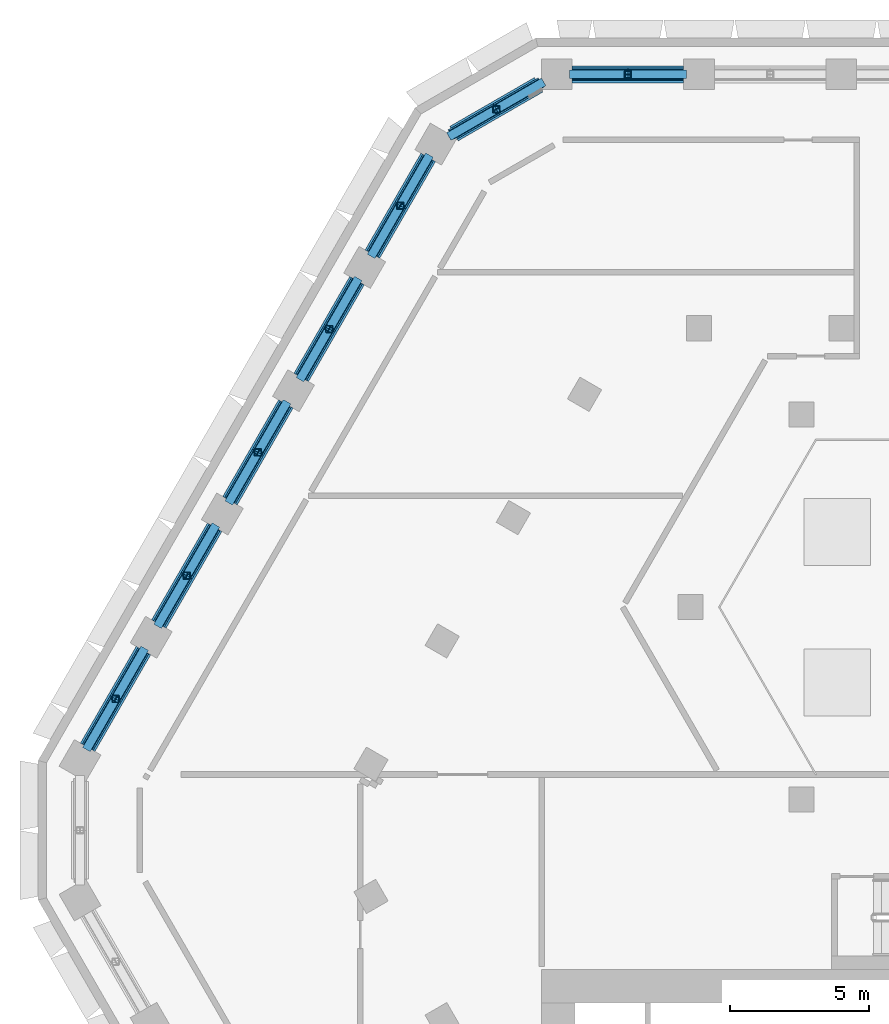
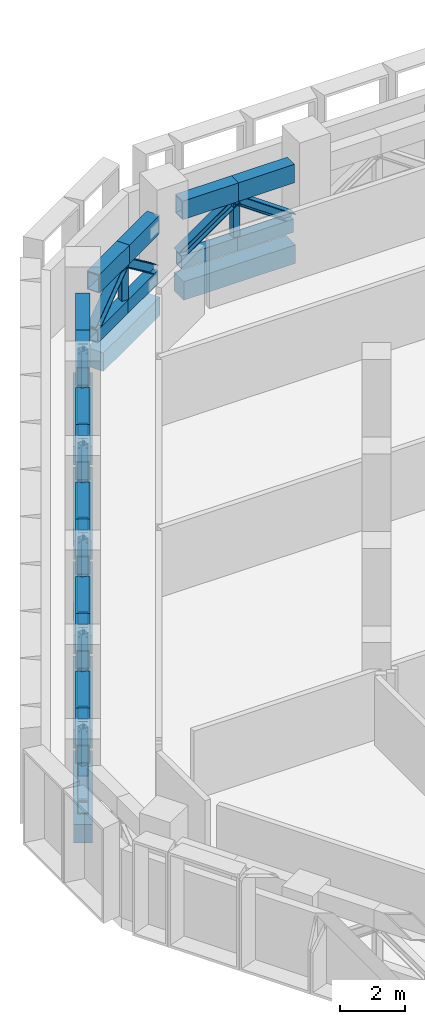
# One storey, part 6 of 22: 49 members, 7 beams.
"""IFC4 building model written with IfcOpenShell, lengths in metres."""

from ifc_helpers import new_model, si_unit, direction, frame, origin, origin_2d, place, context, subcontext, project, spatial, rectangle, hollow_rectangle, i_section, extrude, material, material_profile, profile_set, type_object, element, save


model = new_model("IFC4")

# Units and contexts
model_context = context("Model", 3, precision=1e-05, world=origin(), true_north=direction((0.0, 1.0)))
body_context = subcontext(model_context, "Body", "Model", "MODEL_VIEW")
ifc_project = project(units=[si_unit("LENGTHUNIT", "METRE"), si_unit("AREAUNIT", "SQUARE_METRE"), si_unit("VOLUMEUNIT", "CUBIC_METRE"), si_unit("PLANEANGLEUNIT", "RADIAN"), si_unit("MASSUNIT", "GRAM", prefix="KILO")], contexts=[model_context])

# Site, building, storey
site_placement = place(None, origin())
site = spatial("IfcSite", under=ifc_project, at=site_placement, CompositionType="ELEMENT")
building_placement = place(site_placement, origin())
building = spatial("IfcBuilding", under=site, at=building_placement, Name="Beryl Residences", CompositionType="ELEMENT")
storey_placement = place(building_placement, frame((0.0, 0.0, 62.39990234375)))
storey = spatial("IfcBuildingStorey", under=building, at=storey_placement, Name="L19", CompositionType="ELEMENT", Elevation=62.39990234375)

# Members
ifc_material_1 = material(Name="Steel S355", Category="steel")
ifc_material_profile_1 = material_profile(ifc_material_1, hollow_rectangle(XDim=0.35009765625, YDim=0.5, WallThickness=0.02490234375, at=origin_2d()))
ifc_profile_set_1 = profile_set([ifc_material_profile_1], Name="Steel S355")
member_type_1 = type_object("IfcMemberType", Name="BB1 belt truss bottom chord WB 500x350x25", PredefinedType="CHORD", material=ifc_profile_set_1)
for number, where, z_axis, x_axis, name in (
    (1, (-8.20703125, 27.10009765625, 0.25), (-1.0, 0.0, 0.0), (0.0, -1.0, 0.0), "Belt truss BB1-N-4a L19"),
    (2, (-10.208984375, 27.10009765625, 0.25), (-1.0, 0.0, 0.0), (0.0, -1.0, 0.0), "Belt truss BB1-N-4b L19"),
):
    element("IfcMember", number, at=place(storey_placement, frame(where, z_axis=z_axis, x_axis=x_axis)), inside=storey, type_object=member_type_1, Name=name, PredefinedType="CHORD", context=body_context, shape_type="SweptSolid", body=[
        extrude(hollow_rectangle(XDim=0.35009765625, YDim=0.5, WallThickness=0.02490234375, at=origin_2d()), origin(), (0.0, 0.0, 1.0), 2.001953125),
    ])
member_1_placement = place(storey_placement, frame((-13.31103515625, 26.781982421875, 0.25), z_axis=(-0.866017611601, -0.500013496215, 0.0), x_axis=(0.500013496215, -0.866017611601, 0.0)))
element("IfcMember", 3, at=member_1_placement, inside=storey, type_object=member_type_1, Name="Belt truss BB1-N-5a L19", PredefinedType="CHORD", context=body_context, shape_type="SweptSolid", body=[
    extrude(hollow_rectangle(XDim=0.35009765625, YDim=0.5, WallThickness=0.02490234375, at=origin_2d()), origin(), (0.0, 0.0, 1.0), 1.86376953125),
])
member_2_placement = place(storey_placement, frame((-14.925048828125, 25.85009765625, 0.25), z_axis=(-0.866091842883, -0.499884906444, 0.0), x_axis=(0.499884906444, -0.866091842883, 0.0)))
element("IfcMember", 4, at=member_2_placement, inside=storey, type_object=member_type_1, Name="Belt truss BB1-N-5b L19", PredefinedType="CHORD", context=body_context, shape_type="SweptSolid", body=[
    extrude(hollow_rectangle(XDim=0.35009765625, YDim=0.5, WallThickness=0.02490234375, at=origin_2d()), origin(), (0.0, 0.0, 1.0), 1.86474609375),
])
for number, where, z_axis, x_axis, name in (
    (5, (-17.364990234375, 24.1240234375, 0.25), (-0.499915960366, -0.866073918653, 0.0), (0.866073918653, -0.499915960366, 0.0), "Belt truss BB1-NW-0a L19"),
    (6, (-18.365966796875, 22.389892578125, 0.25), (-0.499968756647, -0.866043441391, 0.0), (0.866043441391, -0.499968756647, 0.0), "Belt truss BB1-NW-0b L19"),
    (7, (-19.9169921875, 19.7041015625, 0.25), (-0.499915960366, -0.866073918653, 0.0), (0.866073918653, -0.499915960366, 0.0), "Belt truss BB1-NW-1a L19"),
):
    element("IfcMember", number, at=place(storey_placement, frame(where, z_axis=z_axis, x_axis=x_axis)), inside=storey, type_object=member_type_1, Name=name, PredefinedType="CHORD", context=body_context, shape_type="SweptSolid", body=[
        extrude(hollow_rectangle(XDim=0.35009765625, YDim=0.5, WallThickness=0.02490234375, at=origin_2d()), origin(), (0.0, 0.0, 1.0), 2.002197265625),
    ])
member_3_placement = place(storey_placement, frame((-20.91796875, 17.969970703125, 0.25), z_axis=(-0.49975762727, -0.866165292531, 0.0), x_axis=(0.866165292531, -0.49975762727, 0.0)))
element("IfcMember", 8, at=member_3_placement, inside=storey, type_object=member_type_1, Name="Belt truss BB1-NW-1b L19", PredefinedType="CHORD", context=body_context, shape_type="SweptSolid", body=[
    extrude(hollow_rectangle(XDim=0.35009765625, YDim=0.5, WallThickness=0.02490234375, at=origin_2d()), origin(), (0.0, 0.0, 1.0), 2.0029296875),
])
for number, where, z_axis, x_axis, name in (
    (9, (-22.468994140625, 15.282958984375, 0.25), (-0.499968756647, -0.866043441391, 0.0), (0.866043441391, -0.499968756647, 0.0), "Belt truss BB1-NW-2a L19"),
    (10, (-23.469970703125, 13.549072265625, 0.25), (-0.499915960366, -0.866073918653, 0.0), (0.866073918653, -0.499915960366, 0.0), "Belt truss BB1-NW-2b L19"),
    (11, (-25.02099609375, 10.863037109375, 0.25), (-0.499915960366, -0.866073918653, 0.0), (0.866073918653, -0.499915960366, 0.0), "Belt truss BB1-NW-3a L19"),
    (12, (-26.02197265625, 9.12890625, 0.25), (-0.499968756647, -0.866043441391, 0.0), (0.866043441391, -0.499968756647, 0.0), "Belt truss BB1-NW-3b L19"),
):
    element("IfcMember", number, at=place(storey_placement, frame(where, z_axis=z_axis, x_axis=x_axis)), inside=storey, type_object=member_type_1, Name=name, PredefinedType="CHORD", context=body_context, shape_type="SweptSolid", body=[
        extrude(hollow_rectangle(XDim=0.35009765625, YDim=0.5, WallThickness=0.02490234375, at=origin_2d()), origin(), (0.0, 0.0, 1.0), 2.002197265625),
    ])
member_4_placement = place(storey_placement, frame((-27.572998046875, 6.443115234375, 0.25), z_axis=(-0.499549993408, -0.866285059369, 0.0), x_axis=(0.866285059369, -0.499549993408, 0.0)))
element("IfcMember", 13, at=member_4_placement, inside=storey, type_object=member_type_1, Name="Belt truss BB1-NW-4a L19", PredefinedType="CHORD", context=body_context, shape_type="SweptSolid", body=[
    extrude(hollow_rectangle(XDim=0.35009765625, YDim=0.5, WallThickness=0.02490234375, at=origin_2d()), origin(), (0.0, 0.0, 1.0), 2.001708984375),
])
member_5_placement = place(storey_placement, frame((-28.572998046875, 4.708984375, 0.25), z_axis=(-0.499968756647, -0.866043441391, 0.0), x_axis=(0.866043441391, -0.499968756647, 0.0)))
element("IfcMember", 14, at=member_5_placement, inside=storey, type_object=member_type_1, Name="Belt truss BB1-NW-4b L19", PredefinedType="CHORD", context=body_context, shape_type="SweptSolid", body=[
    extrude(hollow_rectangle(XDim=0.35009765625, YDim=0.5, WallThickness=0.02490234375, at=origin_2d()), origin(), (0.0, 0.0, 1.0), 2.002197265625),
])
ifc_material_2 = material(Name="Steel S355", Category="steel")
ifc_material_profile_2 = material_profile(ifc_material_2, i_section(OverallWidth=0.31103515625, OverallDepth=0.326904296875, WebThickness=0.015625, FlangeThickness=0.02490234375, FilletRadius=0.0166015625, at=origin_2d()))
ifc_profile_set_2 = profile_set([ifc_material_profile_2], Name="Steel S355")
member_type_2 = type_object("IfcMemberType", Name="BD1 belt truss diagonal 310UC158", PredefinedType="BRACE", material=ifc_profile_set_2)
for number, where, z_axis, x_axis, name in (
    (15, (-8.20703125, 27.10009765625, 0.5), (-0.81946659841, 0.0, 0.573126944132), (0.0, -1.0, 0.0), "Belt truss BD1-N-4a L19"),
    (16, (-12.2109375, 27.10009765625, 0.5), (0.81946659841, 0.0, 0.573126944132), (0.0, 1.0, 0.0), "Belt truss BD1-N-4b L19"),
):
    element("IfcMember", number, at=place(storey_placement, frame(where, z_axis=z_axis, x_axis=x_axis)), inside=storey, type_object=member_type_2, Name=name, PredefinedType="BRACE", context=body_context, shape_type="SweptSolid", body=[
        extrude(i_section(OverallWidth=0.31103515625, OverallDepth=0.326904296875, WebThickness=0.015625, FlangeThickness=0.02490234375, FilletRadius=0.0166015625, at=origin_2d()), origin(), (0.0, 0.0, 1.0), 2.443115234375),
    ])
member_6_placement = place(storey_placement, frame((-13.31103515625, 26.781982421875, 0.5), z_axis=(-0.692393537395, -0.399767982489, 0.600646942514), x_axis=(0.500013496215, -0.866017611601, 0.0)))
element("IfcMember", 17, at=member_6_placement, inside=storey, type_object=member_type_2, Name="Belt truss BD1-N-5a L19", PredefinedType="BRACE", context=body_context, shape_type="SweptSolid", body=[
    extrude(i_section(OverallWidth=0.31103515625, OverallDepth=0.326904296875, WebThickness=0.015625, FlangeThickness=0.02490234375, FilletRadius=0.0166015625, at=origin_2d()), origin(), (0.0, 0.0, 1.0), 2.3310546875),
])
member_7_placement = place(storey_placement, frame((-16.5400390625, 24.91796875, 0.5), z_axis=(0.692582551799, 0.399740012512, 0.600447609156), x_axis=(-0.499884906444, 0.866091842883, 0.0)))
element("IfcMember", 18, at=member_7_placement, inside=storey, type_object=member_type_2, Name="Belt truss BD1-N-5b L19", PredefinedType="BRACE", context=body_context, shape_type="SweptSolid", body=[
    extrude(i_section(OverallWidth=0.31103515625, OverallDepth=0.326904296875, WebThickness=0.015625, FlangeThickness=0.02490234375, FilletRadius=0.0166015625, at=origin_2d()), origin(), (0.0, 0.0, 1.0), 2.331787109375),
])
member_8_placement = place(storey_placement, frame((-17.364990234375, 24.1240234375, 0.5), z_axis=(-0.409687048976, -0.709757831433, 0.573062250214), x_axis=(0.866073918653, -0.499915960366, 0.0)))
element("IfcMember", 19, at=member_8_placement, inside=storey, type_object=member_type_2, Name="Belt truss BD1-NW-0a L19", PredefinedType="BRACE", context=body_context, shape_type="SweptSolid", body=[
    extrude(i_section(OverallWidth=0.31103515625, OverallDepth=0.326904296875, WebThickness=0.015625, FlangeThickness=0.02490234375, FilletRadius=0.0166015625, at=origin_2d()), origin(), (0.0, 0.0, 1.0), 2.443359375),
])
member_9_placement = place(storey_placement, frame((-19.366943359375, 20.656005859375, 0.5), z_axis=(0.409716105686, 0.709708239654, 0.573102894173), x_axis=(-0.866043441391, 0.499968756647, 0.0)))
element("IfcMember", 20, at=member_9_placement, inside=storey, type_object=member_type_2, Name="Belt truss BD1-NW-0b L19", PredefinedType="BRACE", context=body_context, shape_type="SweptSolid", body=[
    extrude(i_section(OverallWidth=0.31103515625, OverallDepth=0.326904296875, WebThickness=0.015625, FlangeThickness=0.02490234375, FilletRadius=0.0166015625, at=origin_2d()), origin(), (0.0, 0.0, 1.0), 2.443115234375),
])
member_10_placement = place(storey_placement, frame((-19.9169921875, 19.7041015625, 0.5), z_axis=(-0.409687048976, -0.709757831433, 0.573062250214), x_axis=(0.866073918653, -0.499915960366, 0.0)))
element("IfcMember", 21, at=member_10_placement, inside=storey, type_object=member_type_2, Name="Belt truss BD1-NW-1a L19", PredefinedType="BRACE", context=body_context, shape_type="SweptSolid", body=[
    extrude(i_section(OverallWidth=0.31103515625, OverallDepth=0.326904296875, WebThickness=0.015625, FlangeThickness=0.02490234375, FilletRadius=0.0166015625, at=origin_2d()), origin(), (0.0, 0.0, 1.0), 2.443359375),
])
member_11_placement = place(storey_placement, frame((-21.9189453125, 16.235107421875, 0.5), z_axis=(0.409599891397, 0.709906543479, 0.572940335893), x_axis=(-0.866165292531, 0.49975762727, 0.0)))
element("IfcMember", 22, at=member_11_placement, inside=storey, type_object=member_type_2, Name="Belt truss BD1-NW-1b L19", PredefinedType="BRACE", context=body_context, shape_type="SweptSolid", body=[
    extrude(i_section(OverallWidth=0.31103515625, OverallDepth=0.326904296875, WebThickness=0.015625, FlangeThickness=0.02490234375, FilletRadius=0.0166015625, at=origin_2d()), origin(), (0.0, 0.0, 1.0), 2.44384765625),
])
member_12_placement = place(storey_placement, frame((-22.468994140625, 15.282958984375, 0.5), z_axis=(-0.409716105686, -0.709708239654, 0.573102894173), x_axis=(0.866043441391, -0.499968756647, 0.0)))
element("IfcMember", 23, at=member_12_placement, inside=storey, type_object=member_type_2, Name="Belt truss BD1-NW-2a L19", PredefinedType="BRACE", context=body_context, shape_type="SweptSolid", body=[
    extrude(i_section(OverallWidth=0.31103515625, OverallDepth=0.326904296875, WebThickness=0.015625, FlangeThickness=0.02490234375, FilletRadius=0.0166015625, at=origin_2d()), origin(), (0.0, 0.0, 1.0), 2.443115234375),
])
for number, where, z_axis, x_axis, name in (
    (24, (-24.470947265625, 11.81494140625, 0.5), (0.409687048976, 0.709757831433, 0.573062250214), (-0.866073918653, 0.499915960366, 0.0), "Belt truss BD1-NW-2b L19"),
    (25, (-25.02099609375, 10.863037109375, 0.5), (-0.409687048976, -0.709757831433, 0.573062250214), (0.866073918653, -0.499915960366, 0.0), "Belt truss BD1-NW-3a L19"),
):
    element("IfcMember", number, at=place(storey_placement, frame(where, z_axis=z_axis, x_axis=x_axis)), inside=storey, type_object=member_type_2, Name=name, PredefinedType="BRACE", context=body_context, shape_type="SweptSolid", body=[
        extrude(i_section(OverallWidth=0.31103515625, OverallDepth=0.326904296875, WebThickness=0.015625, FlangeThickness=0.02490234375, FilletRadius=0.0166015625, at=origin_2d()), origin(), (0.0, 0.0, 1.0), 2.443359375),
    ])
member_13_placement = place(storey_placement, frame((-27.02294921875, 7.39501953125, 0.5), z_axis=(0.409716105686, 0.709708239654, 0.573102894173), x_axis=(-0.866043441391, 0.499968756647, 0.0)))
element("IfcMember", 26, at=member_13_placement, inside=storey, type_object=member_type_2, Name="Belt truss BD1-NW-3b L19", PredefinedType="BRACE", context=body_context, shape_type="SweptSolid", body=[
    extrude(i_section(OverallWidth=0.31103515625, OverallDepth=0.326904296875, WebThickness=0.015625, FlangeThickness=0.02490234375, FilletRadius=0.0166015625, at=origin_2d()), origin(), (0.0, 0.0, 1.0), 2.443115234375),
])
member_14_placement = place(storey_placement, frame((-27.572998046875, 6.443115234375, 0.5), z_axis=(-0.409354358747, -0.709874025923, 0.573156066263), x_axis=(0.866285059369, -0.499549993408, 0.0)))
element("IfcMember", 27, at=member_14_placement, inside=storey, type_object=member_type_2, Name="Belt truss BD1-NW-4a L19", PredefinedType="BRACE", context=body_context, shape_type="SweptSolid", body=[
    extrude(i_section(OverallWidth=0.31103515625, OverallDepth=0.326904296875, WebThickness=0.015625, FlangeThickness=0.02490234375, FilletRadius=0.0166015625, at=origin_2d()), origin(), (0.0, 0.0, 1.0), 2.44287109375),
])
member_15_placement = place(storey_placement, frame((-29.573974609375, 2.97509765625, 0.5), z_axis=(0.409716105686, 0.709708239654, 0.573102894173), x_axis=(-0.866043441391, 0.499968756647, 0.0)))
element("IfcMember", 28, at=member_15_placement, inside=storey, type_object=member_type_2, Name="Belt truss BD1-NW-4b L19", PredefinedType="BRACE", context=body_context, shape_type="SweptSolid", body=[
    extrude(i_section(OverallWidth=0.31103515625, OverallDepth=0.326904296875, WebThickness=0.015625, FlangeThickness=0.02490234375, FilletRadius=0.0166015625, at=origin_2d()), origin(), (0.0, 0.0, 1.0), 2.443115234375),
])
ifc_material_3 = material(Name="Steel S355", Category="steel")
ifc_material_profile_3 = material_profile(ifc_material_3, hollow_rectangle(XDim=0.25, YDim=0.25, WallThickness=0.009033203125, InnerFilletRadius=0.009033203125, OuterFilletRadius=0.01806640625, at=origin_2d()))
ifc_profile_set_3 = profile_set([ifc_material_profile_3], Name="Steel S355")
member_type_3 = type_object("IfcMemberType", Name="BQ1 belt truss post SHS 250x250x9", PredefinedType="POST", material=ifc_profile_set_3)
for number, where, z_axis, x_axis, name in (
    (29, (-10.208984375, 27.10009765625, 0.5), (0.0, 0.0, 1.0), (1.0, 0.0, 0.0), "Belt truss BQ1-N-4 L19"),
    (30, (-14.925048828125, 25.85009765625, 0.5), (0.0, 0.0, 1.0), (1.0, 0.0, 0.0), "Belt truss BQ1-N-5 L19"),
    (31, (-18.365966796875, 22.389892578125, 0.5), (0.0, 0.0, 1.0), (1.0, 0.0, 0.0), "Belt truss BQ1-NW-0 L19"),
    (32, (-20.91796875, 17.969970703125, 0.5), (0.0, 0.0, 1.0), (1.0, 0.0, 0.0), "Belt truss BQ1-NW-1 L19"),
    (33, (-23.469970703125, 13.549072265625, 0.5), (0.0, 0.0, 1.0), (1.0, 0.0, 0.0), "Belt truss BQ1-NW-2 L19"),
    (34, (-26.02197265625, 9.12890625, 0.5), (0.0, 0.0, 1.0), (1.0, 0.0, 0.0), "Belt truss BQ1-NW-3 L19"),
    (35, (-28.572998046875, 4.708984375, 0.5), (0.0, 0.0, 1.0), (1.0, 0.0, 0.0), "Belt truss BQ1-NW-4 L19"),
):
    element("IfcMember", number, at=place(storey_placement, frame(where, z_axis=z_axis, x_axis=x_axis)), inside=storey, type_object=member_type_3, Name=name, PredefinedType="POST", context=body_context, shape_type="SweptSolid", body=[
        extrude(hollow_rectangle(XDim=0.25, YDim=0.25, WallThickness=0.009033203125, InnerFilletRadius=0.009033203125, OuterFilletRadius=0.01806640625, at=origin_2d()), origin(), (0.0, 0.0, 1.0), 1.400146484375),
    ])
ifc_material_4 = material(Name="Steel S355", Category="steel")
ifc_material_profile_4 = material_profile(ifc_material_4, hollow_rectangle(XDim=0.449951171875, YDim=0.699951171875, WallThickness=0.034912109375, at=origin_2d()))
ifc_profile_set_4 = profile_set([ifc_material_profile_4], Name="Steel S355")
member_type_4 = type_object("IfcMemberType", Name="BT1 belt truss top chord WB 700x450x35", PredefinedType="CHORD", material=ifc_profile_set_4)
for number, where, z_axis, x_axis, name in (
    (36, (-8.20703125, 27.10009765625, 2.25), (-1.0, 0.0, 0.0), (0.0, -1.0, 0.0), "Belt truss BT1-N-4a L19"),
    (37, (-10.208984375, 27.10009765625, 2.25), (-1.0, 0.0, 0.0), (0.0, -1.0, 0.0), "Belt truss BT1-N-4b L19"),
):
    element("IfcMember", number, at=place(storey_placement, frame(where, z_axis=z_axis, x_axis=x_axis)), inside=storey, type_object=member_type_4, Name=name, PredefinedType="CHORD", context=body_context, shape_type="SweptSolid", body=[
        extrude(hollow_rectangle(XDim=0.449951171875, YDim=0.699951171875, WallThickness=0.034912109375, at=origin_2d()), origin(), (0.0, 0.0, 1.0), 2.001953125),
    ])
member_16_placement = place(storey_placement, frame((-13.31103515625, 26.781982421875, 2.25), z_axis=(-0.866017611601, -0.500013496215, 0.0), x_axis=(0.500013496215, -0.866017611601, 0.0)))
element("IfcMember", 38, at=member_16_placement, inside=storey, type_object=member_type_4, Name="Belt truss BT1-N-5a L19", PredefinedType="CHORD", context=body_context, shape_type="SweptSolid", body=[
    extrude(hollow_rectangle(XDim=0.449951171875, YDim=0.699951171875, WallThickness=0.034912109375, at=origin_2d()), origin(), (0.0, 0.0, 1.0), 1.86376953125),
])
member_17_placement = place(storey_placement, frame((-14.925048828125, 25.85009765625, 2.25), z_axis=(-0.866091842883, -0.499884906444, 0.0), x_axis=(0.499884906444, -0.866091842883, 0.0)))
element("IfcMember", 39, at=member_17_placement, inside=storey, type_object=member_type_4, Name="Belt truss BT1-N-5b L19", PredefinedType="CHORD", context=body_context, shape_type="SweptSolid", body=[
    extrude(hollow_rectangle(XDim=0.449951171875, YDim=0.699951171875, WallThickness=0.034912109375, at=origin_2d()), origin(), (0.0, 0.0, 1.0), 1.86474609375),
])
for number, where, z_axis, x_axis, name in (
    (40, (-17.364990234375, 24.1240234375, 2.25), (-0.499915960366, -0.866073918653, 0.0), (0.866073918653, -0.499915960366, 0.0), "Belt truss BT1-NW-0a L19"),
    (41, (-18.365966796875, 22.389892578125, 2.25), (-0.499968756647, -0.866043441391, 0.0), (0.866043441391, -0.499968756647, 0.0), "Belt truss BT1-NW-0b L19"),
    (42, (-19.9169921875, 19.7041015625, 2.25), (-0.499915960366, -0.866073918653, 0.0), (0.866073918653, -0.499915960366, 0.0), "Belt truss BT1-NW-1a L19"),
):
    element("IfcMember", number, at=place(storey_placement, frame(where, z_axis=z_axis, x_axis=x_axis)), inside=storey, type_object=member_type_4, Name=name, PredefinedType="CHORD", context=body_context, shape_type="SweptSolid", body=[
        extrude(hollow_rectangle(XDim=0.449951171875, YDim=0.699951171875, WallThickness=0.034912109375, at=origin_2d()), origin(), (0.0, 0.0, 1.0), 2.002197265625),
    ])
member_18_placement = place(storey_placement, frame((-20.91796875, 17.969970703125, 2.25), z_axis=(-0.49975762727, -0.866165292531, 0.0), x_axis=(0.866165292531, -0.49975762727, 0.0)))
element("IfcMember", 43, at=member_18_placement, inside=storey, type_object=member_type_4, Name="Belt truss BT1-NW-1b L19", PredefinedType="CHORD", context=body_context, shape_type="SweptSolid", body=[
    extrude(hollow_rectangle(XDim=0.449951171875, YDim=0.699951171875, WallThickness=0.034912109375, at=origin_2d()), origin(), (0.0, 0.0, 1.0), 2.0029296875),
])
for number, where, z_axis, x_axis, name in (
    (44, (-22.468994140625, 15.282958984375, 2.25), (-0.499968756647, -0.866043441391, 0.0), (0.866043441391, -0.499968756647, 0.0), "Belt truss BT1-NW-2a L19"),
    (45, (-23.469970703125, 13.549072265625, 2.25), (-0.499915960366, -0.866073918653, 0.0), (0.866073918653, -0.499915960366, 0.0), "Belt truss BT1-NW-2b L19"),
    (46, (-25.02099609375, 10.863037109375, 2.25), (-0.499915960366, -0.866073918653, 0.0), (0.866073918653, -0.499915960366, 0.0), "Belt truss BT1-NW-3a L19"),
    (47, (-26.02197265625, 9.12890625, 2.25), (-0.499968756647, -0.866043441391, 0.0), (0.866043441391, -0.499968756647, 0.0), "Belt truss BT1-NW-3b L19"),
):
    element("IfcMember", number, at=place(storey_placement, frame(where, z_axis=z_axis, x_axis=x_axis)), inside=storey, type_object=member_type_4, Name=name, PredefinedType="CHORD", context=body_context, shape_type="SweptSolid", body=[
        extrude(hollow_rectangle(XDim=0.449951171875, YDim=0.699951171875, WallThickness=0.034912109375, at=origin_2d()), origin(), (0.0, 0.0, 1.0), 2.002197265625),
    ])
member_19_placement = place(storey_placement, frame((-27.572998046875, 6.443115234375, 2.25), z_axis=(-0.499549993408, -0.866285059369, 0.0), x_axis=(0.866285059369, -0.499549993408, 0.0)))
element("IfcMember", 48, at=member_19_placement, inside=storey, type_object=member_type_4, Name="Belt truss BT1-NW-4a L19", PredefinedType="CHORD", context=body_context, shape_type="SweptSolid", body=[
    extrude(hollow_rectangle(XDim=0.449951171875, YDim=0.699951171875, WallThickness=0.034912109375, at=origin_2d()), origin(), (0.0, 0.0, 1.0), 2.001708984375),
])
member_20_placement = place(storey_placement, frame((-28.572998046875, 4.708984375, 2.25), z_axis=(-0.499968756647, -0.866043441391, 0.0), x_axis=(0.866043441391, -0.499968756647, 0.0)))
element("IfcMember", 49, at=member_20_placement, inside=storey, type_object=member_type_4, Name="Belt truss BT1-NW-4b L19", PredefinedType="CHORD", context=body_context, shape_type="SweptSolid", body=[
    extrude(hollow_rectangle(XDim=0.449951171875, YDim=0.699951171875, WallThickness=0.034912109375, at=origin_2d()), origin(), (0.0, 0.0, 1.0), 2.002197265625),
])

# Beams
ifc_material_5 = material(Name="Concrete C80/95", Category="concrete")
ifc_material_profile_5 = material_profile(ifc_material_5, rectangle(XDim=0.60009765625, YDim=0.699951171875, at=origin_2d()))
ifc_profile_set_5 = profile_set([ifc_material_profile_5], Name="Concrete C80/95")
beam_type = type_object("IfcBeamType", Name="SB1 spandrel beam 600 x 700 C80/95", PredefinedType="SPANDREL", material=ifc_profile_set_5)
beam_1_placement = place(storey_placement, frame((-8.20703125, 27.10009765625, -0.75), z_axis=(-1.0, 0.0, 0.0), x_axis=(0.0, -1.0, 0.0)))
element("IfcBeam", 50, at=beam_1_placement, inside=storey, type_object=beam_type, Name="SB1 L19 N-4", PredefinedType="SPANDREL", context=body_context, shape_type="SweptSolid", body=[
    extrude(rectangle(XDim=0.60009765625, YDim=0.699951171875, at=origin_2d()), origin(), (0.0, 0.0, 1.0), 4.00390625),
])
beam_2_placement = place(storey_placement, frame((-13.410888671875, 26.72412109375, -0.75), z_axis=(-0.866121658299, -0.499833245218, 0.0), x_axis=(0.499833245218, -0.866121658299, 0.0)))
element("IfcBeam", 51, at=beam_2_placement, inside=storey, type_object=beam_type, Name="SB1 L19 N-5", PredefinedType="SPANDREL", context=body_context, shape_type="SweptSolid", body=[
    extrude(rectangle(XDim=0.60009765625, YDim=0.699951171875, at=origin_2d()), origin(), (0.0, 0.0, 1.0), 3.497314453125),
])
beam_3_placement = place(storey_placement, frame((-17.364990234375, 24.1240234375, -0.75), z_axis=(-0.499942357345, -0.866058681229, 0.0), x_axis=(0.866058681229, -0.499942357345, 0.0)))
element("IfcBeam", 52, at=beam_3_placement, inside=storey, type_object=beam_type, Name="SB1 L19 NW-0", PredefinedType="SPANDREL", context=body_context, shape_type="SweptSolid", body=[
    extrude(rectangle(XDim=0.60009765625, YDim=0.699951171875, at=origin_2d()), origin(), (0.0, 0.0, 1.0), 4.00439453125),
])
beam_4_placement = place(storey_placement, frame((-19.9169921875, 19.7041015625, -0.75), z_axis=(-0.499836783367, -0.866119616446, 0.0), x_axis=(0.866119616446, -0.499836783367, 0.0)))
element("IfcBeam", 53, at=beam_4_placement, inside=storey, type_object=beam_type, Name="SB1 L19 NW-1", PredefinedType="SPANDREL", context=body_context, shape_type="SweptSolid", body=[
    extrude(rectangle(XDim=0.60009765625, YDim=0.699951171875, at=origin_2d()), origin(), (0.0, 0.0, 1.0), 4.005126953125),
])
for number, where, z_axis, x_axis, name in (
    (54, (-22.468994140625, 15.282958984375, -0.75), (-0.499942357345, -0.866058681229, 0.0), (0.866058681229, -0.499942357345, 0.0), "SB1 L19 NW-2"),
    (55, (-25.02099609375, 10.863037109375, -0.75), (-0.499942357345, -0.866058681229, 0.0), (0.866058681229, -0.499942357345, 0.0), "SB1 L19 NW-3"),
):
    element("IfcBeam", number, at=place(storey_placement, frame(where, z_axis=z_axis, x_axis=x_axis)), inside=storey, type_object=beam_type, Name=name, PredefinedType="SPANDREL", context=body_context, shape_type="SweptSolid", body=[
        extrude(rectangle(XDim=0.60009765625, YDim=0.699951171875, at=origin_2d()), origin(), (0.0, 0.0, 1.0), 4.00439453125),
    ])
beam_5_placement = place(storey_placement, frame((-27.572998046875, 6.443115234375, -0.75), z_axis=(-0.499759404093, -0.866164267342, 0.0), x_axis=(0.866164267342, -0.499759404093, 0.0)))
element("IfcBeam", 56, at=beam_5_placement, inside=storey, type_object=beam_type, Name="SB1 L19 NW-4", PredefinedType="SPANDREL", context=body_context, shape_type="SweptSolid", body=[
    extrude(rectangle(XDim=0.60009765625, YDim=0.699951171875, at=origin_2d()), origin(), (0.0, 0.0, 1.0), 4.00390625),
])

save(model, "model.ifc")
